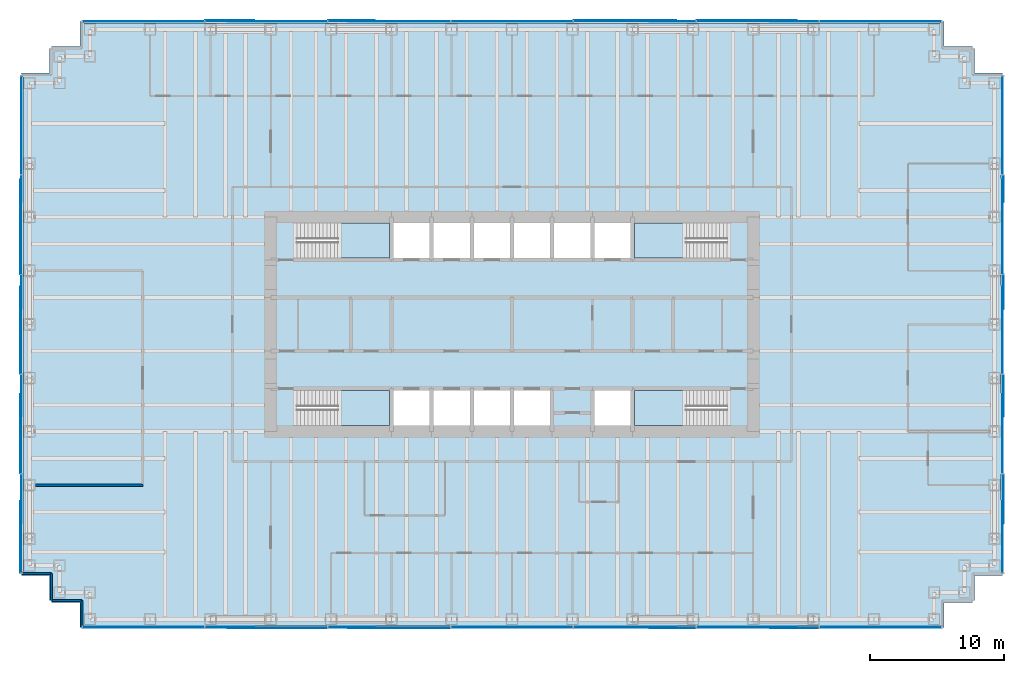
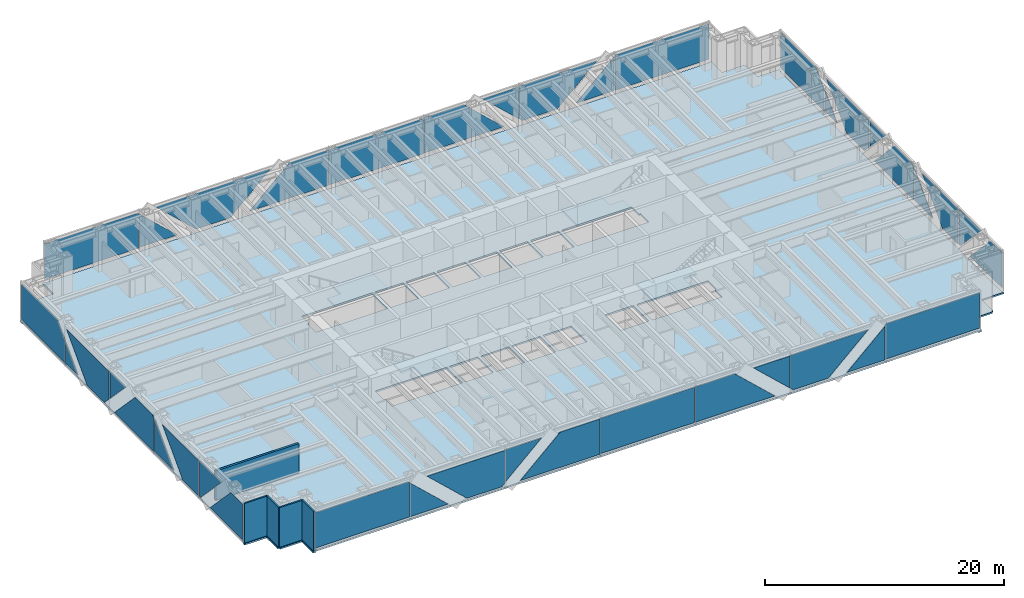
# One storey, part 10 of 16: 40 plates, 5 slabs, 5 walls, 8 elements without a shape of their own.
"""IFC4 building model written with IfcOpenShell, lengths in metres."""

from ifc_helpers import new_model, si_unit, direction, frame, frame_2d, origin, origin_2d, place, context, subcontext, project, spatial, polyline, rectangle, outline, extrude, material, layer, layer_set, type_object, element, aggregate, save


model = new_model("IFC4")

# Units and contexts
model_context = context("Model", 3, precision=1e-05, world=origin(), true_north=direction((0.0, 1.0)))
body_context = subcontext(model_context, "Body", "Model", "MODEL_VIEW")
ifc_project = project(units=[si_unit("LENGTHUNIT", "METRE"), si_unit("AREAUNIT", "SQUARE_METRE"), si_unit("VOLUMEUNIT", "CUBIC_METRE"), si_unit("PLANEANGLEUNIT", "RADIAN"), si_unit("MASSUNIT", "GRAM", prefix="KILO")], contexts=[model_context])

# Site, building, storey
site_placement = place(None, origin())
site = spatial("IfcSite", under=ifc_project, at=site_placement, CompositionType="ELEMENT")
building_placement = place(site_placement, origin())
building = spatial("IfcBuilding", under=site, at=building_placement, Name="Rheinbord Bourse Tower", CompositionType="ELEMENT")
storey_placement = place(building_placement, frame((0.0, 0.0, 171.89990234375)))
storey = spatial("IfcBuildingStorey", under=building, at=storey_placement, Name="L38", CompositionType="ELEMENT", Elevation=171.89990234375)

# Slab
ifc_material_1 = material(Name="Concrete C30/37", Category="concrete")
ifc_layer_1 = layer(ifc_material_1, 0.159912109375)
ifc_layer_set_1 = layer_set([ifc_layer_1], Name="COMPOSITE FLOOR SLAB 160")
slab_type_1 = type_object("IfcSlabType", Name="COMPOSITE FLOOR SLAB 160", PredefinedType="FLOOR", material=ifc_layer_set_1)
slab_1_placement = place(storey_placement, frame((0.0, 0.0, -0.159912109375)))
element("IfcSlab", 1, at=slab_1_placement, inside=storey, type_object=slab_type_1, Name="Floor slab L38", PredefinedType="FLOOR", context=body_context, shape_type="SweptSolid", body=[
    extrude(outline(polyline([(1.64990234375, 3.39990234375), (1.5, 3.39990234375), (1.5, 5.25), (-0.60009765625, 5.25), (-0.60009765625, 5.550048828125), (-0.5, 5.550048828125), (-0.5, 42.449951171875), (-0.60009765625, 42.449951171875), (-0.60009765625, 42.75), (1.5, 42.75), (1.5, 44.60009765625), (1.64990234375, 44.60009765625), (1.64990234375, 44.75), (3.75, 44.75), (3.75, 46.60009765625), (4.050048828125, 46.60009765625), (4.050048828125, 46.5), (67.949951171875, 46.5), (67.949951171875, 46.60009765625), (68.25, 46.60009765625), (68.25, 44.75), (70.35009765625, 44.75), (70.35009765625, 44.60009765625), (70.5, 44.60009765625), (70.5, 42.75), (72.60009765625, 42.75), (72.60009765625, 42.449951171875), (72.5, 42.449951171875), (72.5, 5.550048828125), (72.60009765625, 5.550048828125), (72.60009765625, 5.25), (70.5, 5.25), (70.5, 3.39990234375), (70.35009765625, 3.39990234375), (70.35009765625, 3.25), (68.25, 3.25), (68.25, 1.39990234375), (67.949951171875, 1.39990234375), (67.949951171875, 1.5), (4.050048828125, 1.5), (4.050048828125, 1.39990234375), (3.75, 1.39990234375), (3.75, 3.25), (1.64990234375, 3.25), (1.64990234375, 3.39990234375)]), holes=[polyline([(19.949951171875, 19.050048828125), (26.85009765625, 19.050048828125), (26.85009765625, 16.449951171875), (20.10009765625, 16.449951171875), (20.10009765625, 17.64990234375), (19.949951171875, 17.64990234375), (19.949951171875, 19.050048828125)]), polyline([(26.85009765625, 31.550048828125), (26.85009765625, 28.949951171875), (19.949951171875, 28.949951171875), (19.949951171875, 30.35009765625), (20.10009765625, 30.35009765625), (20.10009765625, 31.550048828125), (26.85009765625, 31.550048828125)]), polyline([(45.14990234375, 16.449951171875), (45.14990234375, 19.050048828125), (52.050048828125, 19.050048828125), (52.050048828125, 17.64990234375), (51.89990234375, 17.64990234375), (51.89990234375, 16.449951171875), (45.14990234375, 16.449951171875)]), polyline([(52.050048828125, 28.949951171875), (45.14990234375, 28.949951171875), (45.14990234375, 31.550048828125), (51.89990234375, 31.550048828125), (51.89990234375, 30.35009765625), (52.050048828125, 30.35009765625), (52.050048828125, 28.949951171875)]), polyline([(27.14990234375, 16.449951171875), (27.14990234375, 19.050048828125), (29.85009765625, 19.050048828125), (29.85009765625, 16.449951171875), (27.14990234375, 16.449951171875)]), polyline([(27.14990234375, 28.949951171875), (27.14990234375, 31.550048828125), (29.85009765625, 31.550048828125), (29.85009765625, 28.949951171875), (27.14990234375, 28.949951171875)]), polyline([(30.14990234375, 16.449951171875), (30.14990234375, 19.050048828125), (32.85009765625, 19.050048828125), (32.85009765625, 16.449951171875), (30.14990234375, 16.449951171875)]), polyline([(30.14990234375, 28.949951171875), (30.14990234375, 31.550048828125), (32.85009765625, 31.550048828125), (32.85009765625, 28.949951171875), (30.14990234375, 28.949951171875)]), polyline([(33.14990234375, 16.449951171875), (33.14990234375, 19.050048828125), (35.85009765625, 19.050048828125), (35.85009765625, 16.449951171875), (33.14990234375, 16.449951171875)]), polyline([(33.14990234375, 28.949951171875), (33.14990234375, 31.550048828125), (35.85009765625, 31.550048828125), (35.85009765625, 28.949951171875), (33.14990234375, 28.949951171875)]), polyline([(36.14990234375, 16.449951171875), (36.14990234375, 19.050048828125), (38.85009765625, 19.050048828125), (38.85009765625, 16.449951171875), (36.14990234375, 16.449951171875)]), polyline([(36.14990234375, 28.949951171875), (36.14990234375, 31.550048828125), (38.85009765625, 31.550048828125), (38.85009765625, 28.949951171875), (36.14990234375, 28.949951171875)]), polyline([(39.14990234375, 28.949951171875), (39.14990234375, 31.550048828125), (41.85009765625, 31.550048828125), (41.85009765625, 28.949951171875), (39.14990234375, 28.949951171875)]), polyline([(42.14990234375, 16.449951171875), (42.14990234375, 19.050048828125), (44.85009765625, 19.050048828125), (44.85009765625, 16.449951171875), (42.14990234375, 16.449951171875)]), polyline([(42.14990234375, 28.949951171875), (42.14990234375, 31.550048828125), (44.85009765625, 31.550048828125), (44.85009765625, 28.949951171875), (42.14990234375, 28.949951171875)])]), origin(), (0.0, 0.0, 1.0), 0.159912109375),
])

# Curtain wall, plates
ifc_material_2 = material(Name="Dark glass and black aluminium", Category="aluminium")
curtain_wall_type = type_object("IfcCurtainWallType", Name="CW2 DARK GLASS CURTAIN WALL", PredefinedType="USERDEFINED", material=ifc_material_2)
curtain_wall_1_placement = place(storey_placement, origin())
curtain_wall_1 = element("IfcCurtainWall", 2, at=curtain_wall_1_placement, inside=storey, type_object=curtain_wall_type, Name="Curtain wall CW2 S L38", ObjectType="UNITISED CURTAIN WALL", PredefinedType="USERDEFINED")
ifc_material_3 = material(Name="Dark tinted triple insulating glass", Category="glass")
ifc_layer_2 = layer(ifc_material_3, 0.050048828125)
ifc_layer_set_2 = layer_set([ifc_layer_2], Name="CW2 DARK GLASS PANEL")
plate_type = type_object("IfcPlateType", Name="CW2 DARK GLASS PANEL", PredefinedType="CURTAIN_PANEL", material=ifc_layer_set_2)
plate_1_placement = place(storey_placement, frame((36.0, 1.39990234375, 0.300048828125), z_axis=(0.0, 0.0, 1.0), x_axis=(1.0, 0.0, 0.0)))
plate_1 = element("IfcPlate", 3, at=plate_1_placement, type_object=plate_type, Name="CW2 panel 4.1", PredefinedType="CURTAIN_PANEL", context=body_context, shape_type="SweptSolid", body=[
    extrude(rectangle(XDim=9.101318359375, YDim=0.050048828125, at=origin_2d()), origin(), (0.0, 0.0, 1.0), 3.60009765625),
])
plate_2_placement = place(storey_placement, frame((13.035888671875, 1.375, 0.300048828125), z_axis=(0.0, 1.0, 0.0), x_axis=(-1.0, 0.0, 0.0)))
plate_2 = element("IfcPlate", 4, at=plate_2_placement, type_object=plate_type, Name="CW2 glass facet 1", PredefinedType="CURTAIN_PANEL", context=body_context, shape_type="SweptSolid", body=[
    extrude(outline(polyline([(0.0, 0.0), (9.06591796875, 0.0), (9.06591796875, 3.60009765625), (0.100830078125, 3.60009765625), (0.0, 3.505126953125), (0.0, 0.0)])), origin(), (0.0, 0.0, 1.0), 0.050048828125),
])
plate_3_placement = place(storey_placement, frame((13.10595703125, 1.375, 0.300048828125), z_axis=(0.0, 1.0, 0.0), x_axis=(0.0, 0.0, 1.0)))
plate_3 = element("IfcPlate", 5, at=plate_3_placement, type_object=plate_type, Name="CW2 glass facet 1", PredefinedType="CURTAIN_PANEL", context=body_context, shape_type="SweptSolid", body=[
    extrude(outline(polyline([(0.0, 0.0), (3.43994140625, 0.0), (0.0, 3.68603515625), (0.0, 0.0)])), origin(), (0.0, 0.0, 1.0), 0.050048828125),
])
plate_4_placement = place(storey_placement, frame((18.56494140625, 1.31982421875, 0.300048828125), z_axis=(0.0, 1.0, 0.0), x_axis=(-0.731027569533, 0.0, 0.682347926341)))
plate_4 = element("IfcPlate", 6, at=plate_4_placement, type_object=plate_type, Name="CW2 glass facet 2", PredefinedType="CURTAIN_PANEL", context=body_context, shape_type="SweptSolid", body=[
    extrude(outline(polyline([(0.0, 0.0), (5.276123046875, 0.0), (-0.20654296875, 5.11767578125), (-2.489013671875, 2.67236328125), (-2.463623046875, 2.299560546875), (0.0, 0.0)])), origin(), (0.0, 0.0, 1.0), 0.050048828125),
])
plate_5_placement = place(storey_placement, frame((22.278076171875, 1.375, 3.900146484375), z_axis=(0.0, 1.0, 0.0), x_axis=(1.0, 0.0, 0.0)))
plate_5 = element("IfcPlate", 7, at=plate_5_placement, type_object=plate_type, Name="CW2 glass facet 1", PredefinedType="CURTAIN_PANEL", context=body_context, shape_type="SweptSolid", body=[
    extrude(outline(polyline([(0.0, 0.0), (3.513916015625, 0.0), (0.0, 3.280029296875), (0.0, 0.0)])), origin(), (0.0, 0.0, 1.0), 0.050048828125),
])
plate_6_placement = place(storey_placement, frame((31.37890625, 1.31982421875, 3.900146484375), z_axis=(0.0, 1.0, 0.0), x_axis=(0.0, 0.0, -1.0)))
plate_6 = element("IfcPlate", 8, at=plate_6_placement, type_object=plate_type, Name="CW2 glass facet 2", PredefinedType="CURTAIN_PANEL", context=body_context, shape_type="SweptSolid", body=[
    extrude(outline(polyline([(0.0, 0.0), (3.60009765625, 0.0), (3.60009765625, 7.6708984375), (0.0, 3.81396484375), (0.0, 0.0)])), origin(), (0.0, 0.0, 1.0), 0.050048828125),
])
plate_7_placement = place(storey_placement, frame((40.62109375, 1.375, 0.300048828125), z_axis=(0.0, 1.0, 0.0), x_axis=(0.0, 0.0, 1.0)))
plate_7 = element("IfcPlate", 9, at=plate_7_placement, type_object=plate_type, Name="CW2 glass facet 1", PredefinedType="CURTAIN_PANEL", context=body_context, shape_type="SweptSolid", body=[
    extrude(outline(polyline([(0.0, 0.0), (3.60009765625, 0.0), (3.60009765625, 3.81396484375), (0.0, 7.6708984375), (0.0, 0.0)])), origin(), (0.0, 0.0, 1.0), 0.050048828125),
])
plate_8_placement = place(storey_placement, frame((49.721923828125, 1.31982421875, 3.900146484375), z_axis=(0.0, 1.0, 0.0), x_axis=(0.0, 0.0, -1.0)))
plate_8 = element("IfcPlate", 10, at=plate_8_placement, type_object=plate_type, Name="CW2 glass facet 2", PredefinedType="CURTAIN_PANEL", context=body_context, shape_type="SweptSolid", body=[
    extrude(outline(polyline([(0.0, 0.0), (3.280029296875, 0.0), (0.0, 3.513916015625), (0.0, 0.0)])), origin(), (0.0, 0.0, 1.0), 0.050048828125),
])
plate_9_placement = place(storey_placement, frame((50.06494140625, 1.375, 0.300048828125), z_axis=(0.0, 1.0, 0.0), x_axis=(-0.730555285006, 0.0, 0.682853553516)))
plate_9 = element("IfcPlate", 11, at=plate_9_placement, type_object=plate_type, Name="CW2 glass facet 1", PredefinedType="CURTAIN_PANEL", context=body_context, shape_type="SweptSolid", body=[
    extrude(outline(polyline([(0.0, 0.0), (0.37353515625, 0.0), (2.65771484375, 2.443603515625), (-2.821533203125, 7.565185546875), (-2.462158203125, 2.30126953125), (0.0, 0.0)])), origin(), (0.0, 0.0, 1.0), 0.050048828125),
])
plate_10_placement = place(storey_placement, frame((58.89404296875, 1.31982421875, 0.300048828125), z_axis=(0.0, 1.0, 0.0), x_axis=(-1.0, 0.0, 0.0)))
plate_10 = element("IfcPlate", 12, at=plate_10_placement, type_object=plate_type, Name="CW2 glass facet 2", PredefinedType="CURTAIN_PANEL", context=body_context, shape_type="SweptSolid", body=[
    extrude(outline(polyline([(0.0, 0.0), (3.68603515625, 0.0), (0.0, 3.43994140625), (0.0, 0.0)])), origin(), (0.0, 0.0, 1.0), 0.050048828125),
])
plate_11_placement = place(storey_placement, frame((68.030029296875, 1.375, 3.900146484375), z_axis=(0.0, 1.0, 0.0), x_axis=(0.0, 0.0, -1.0)))
plate_11 = element("IfcPlate", 13, at=plate_11_placement, type_object=plate_type, Name="CW2 glass facet 1", PredefinedType="CURTAIN_PANEL", context=body_context, shape_type="SweptSolid", body=[
    extrude(outline(polyline([(0.0, 0.0), (3.60009765625, 0.0), (3.60009765625, 9.06591796875), (0.094970703125, 9.06591796875), (0.0, 8.965087890625), (0.0, 0.0)])), origin(), (0.0, 0.0, 1.0), 0.050048828125),
])
aggregate(curtain_wall_1, [plate_1, plate_2, plate_3, plate_4, plate_5, plate_6, plate_7, plate_8, plate_9, plate_10, plate_11])

curtain_wall_2_placement = place(storey_placement, origin())
curtain_wall_2 = element("IfcCurtainWall", 14, at=curtain_wall_2_placement, inside=storey, type_object=curtain_wall_type, Name="Curtain wall CW2 E L38", ObjectType="UNITISED CURTAIN WALL", PredefinedType="USERDEFINED")
plate_12_placement = place(storey_placement, frame((72.625, 5.469970703125, 0.300048828125), z_axis=(-1.0, 0.0, 0.0), x_axis=(0.0, 0.0, 1.0)))
plate_12 = element("IfcPlate", 15, at=plate_12_placement, type_object=plate_type, Name="CW2 glass facet 1", PredefinedType="CURTAIN_PANEL", context=body_context, shape_type="SweptSolid", body=[
    extrude(outline(polyline([(0.0, 0.0), (3.60009765625, 0.0), (3.60009765625, 1.97998046875), (0.0, 5.408935546875), (0.0, 0.0)])), origin(), (0.0, 0.0, 1.0), 0.050048828125),
])
plate_13_placement = place(storey_placement, frame((72.68017578125, 12.804931640625, 3.900146484375), z_axis=(-1.0, 0.0, 0.0), x_axis=(0.0, 0.0, -1.0)))
plate_13 = element("IfcPlate", 16, at=plate_13_placement, type_object=plate_type, Name="CW2 glass facet 2", PredefinedType="CURTAIN_PANEL", context=body_context, shape_type="SweptSolid", body=[
    extrude(outline(polyline([(0.0, 0.0), (3.60009765625, 0.0), (3.60009765625, 0.2548828125), (0.0, 3.683837890625), (0.0, 0.0)])), origin(), (0.0, 0.0, 1.0), 0.050048828125),
])
plate_14_placement = place(storey_placement, frame((72.625, 12.875, 0.300048828125), z_axis=(-1.0, 0.0, 0.0), x_axis=(0.0, 0.0, 1.0)))
plate_14 = element("IfcPlate", 17, at=plate_14_placement, type_object=plate_type, Name="CW2 glass facet 1", PredefinedType="CURTAIN_PANEL", context=body_context, shape_type="SweptSolid", body=[
    extrude(outline(polyline([(0.0, 0.0), (3.60009765625, 0.0), (3.60009765625, 6.00390625), (0.0, 2.574951171875), (0.0, 0.0)])), origin(), (0.0, 0.0, 1.0), 0.050048828125),
])
plate_15_placement = place(storey_placement, frame((72.68017578125, 20.2451171875, 0.300048828125), z_axis=(-1.0, 0.0, 0.0), x_axis=(0.0, -1.0, 0.0)))
plate_15 = element("IfcPlate", 18, at=plate_15_placement, type_object=plate_type, Name="CW2 glass facet 2", PredefinedType="CURTAIN_PANEL", context=body_context, shape_type="SweptSolid", body=[
    extrude(outline(polyline([(0.0, 0.0), (3.1240234375, 0.0), (0.0, 3.280029296875), (0.0, 0.0)])), origin(), (0.0, 0.0, 1.0), 0.050048828125),
])
plate_16_placement = place(storey_placement, frame((72.625, 20.31494140625, 0.300048828125), z_axis=(-1.0, 0.0, 0.0), x_axis=(0.0, 0.0, 1.0)))
plate_16 = element("IfcPlate", 19, at=plate_16_placement, type_object=plate_type, Name="CW2 glass facet 1", PredefinedType="CURTAIN_PANEL", context=body_context, shape_type="SweptSolid", body=[
    extrude(outline(polyline([(0.0, 0.0), (3.35302734375, 0.0), (3.60009765625, 0.235107421875), (3.60009765625, 3.135009765625), (0.0, 6.56396484375), (0.0, 0.0)])), origin(), (0.0, 0.0, 1.0), 0.050048828125),
])
plate_17_placement = place(storey_placement, frame((72.68017578125, 27.68505859375, 3.900146484375), z_axis=(-1.0, 0.0, 0.0), x_axis=(0.0, 0.0, -1.0)))
plate_17 = element("IfcPlate", 20, at=plate_17_placement, type_object=plate_type, Name="CW2 glass facet 2", PredefinedType="CURTAIN_PANEL", context=body_context, shape_type="SweptSolid", body=[
    extrude(outline(polyline([(0.0, 0.0), (2.692138671875, 0.0), (0.0, 2.56396484375), (0.0, 0.0)])), origin(), (0.0, 0.0, 1.0), 0.050048828125),
])
plate_18_placement = place(storey_placement, frame((72.625, 28.550048828125, 0.300048828125), z_axis=(-1.0, 0.0, 0.0), x_axis=(0.0, -0.689639310582, 0.724153037209)))
plate_18 = element("IfcPlate", 21, at=plate_18_placement, type_object=plate_type, Name="CW2 glass facet 1", PredefinedType="CURTAIN_PANEL", context=body_context, shape_type="SweptSolid", body=[
    extrude(outline(polyline([(0.0, 0.0), (1.153076171875, 0.0), (3.155517578125, 1.906982421875), (-1.757568359375, 7.06591796875), (-2.0, 2.099853515625), (0.0, 0.0)])), origin(), (0.0, 0.0, 1.0), 0.050048828125),
])
plate_19_placement = place(storey_placement, frame((72.68017578125, 35.125, 0.300048828125), z_axis=(-1.0, 0.0, 0.0), x_axis=(0.0, -1.0, 0.0)))
plate_19 = element("IfcPlate", 22, at=plate_19_placement, type_object=plate_type, Name="CW2 glass facet 2", PredefinedType="CURTAIN_PANEL", context=body_context, shape_type="SweptSolid", body=[
    extrude(outline(polyline([(0.0, 0.0), (2.00390625, 0.0), (0.0, 2.10400390625), (0.0, 0.0)])), origin(), (0.0, 0.0, 1.0), 0.050048828125),
])
plate_20_placement = place(storey_placement, frame((72.625, 42.530029296875, 3.900146484375), z_axis=(-1.0, 0.0, 0.0), x_axis=(0.0, 0.0, -1.0)))
plate_20 = element("IfcPlate", 23, at=plate_20_placement, type_object=plate_type, Name="CW2 glass facet 1", PredefinedType="CURTAIN_PANEL", context=body_context, shape_type="SweptSolid", body=[
    extrude(outline(polyline([(0.0, 0.0), (3.60009765625, 0.0), (3.60009765625, 7.3349609375), (1.423095703125, 7.3349609375), (0.0, 5.97998046875), (0.0, 0.0)])), origin(), (0.0, 0.0, 1.0), 0.050048828125),
])
aggregate(curtain_wall_2, [plate_12, plate_13, plate_14, plate_15, plate_16, plate_17, plate_18, plate_19, plate_20])

curtain_wall_3_placement = place(storey_placement, origin())
curtain_wall_3 = element("IfcCurtainWall", 24, at=curtain_wall_3_placement, inside=storey, type_object=curtain_wall_type, Name="Curtain wall CW2 N L38", ObjectType="UNITISED CURTAIN WALL", PredefinedType="USERDEFINED")
plate_21_placement = place(storey_placement, frame((36.0, 46.60009765625, 0.300048828125), z_axis=(0.0, 0.0, 1.0), x_axis=(-1.0, 0.0, 0.0)))
plate_21 = element("IfcPlate", 25, at=plate_21_placement, type_object=plate_type, Name="CW2 panel 4.1", PredefinedType="CURTAIN_PANEL", context=body_context, shape_type="SweptSolid", body=[
    extrude(rectangle(XDim=9.101318359375, YDim=0.050048828125, at=origin_2d()), origin(), (0.0, 0.0, 1.0), 3.60009765625),
])
plate_22_placement = place(storey_placement, frame((58.964111328125, 46.625, 0.300048828125), z_axis=(0.0, -1.0, 0.0), x_axis=(1.0, 0.0, 0.0)))
plate_22 = element("IfcPlate", 26, at=plate_22_placement, type_object=plate_type, Name="CW2 glass facet 1", PredefinedType="CURTAIN_PANEL", context=body_context, shape_type="SweptSolid", body=[
    extrude(outline(polyline([(0.0, 0.0), (9.06591796875, 0.0), (9.06591796875, 3.60009765625), (0.100830078125, 3.60009765625), (0.0, 3.505126953125), (0.0, 0.0)])), origin(), (0.0, 0.0, 1.0), 0.050048828125),
])
plate_23_placement = place(storey_placement, frame((58.89404296875, 46.625, 0.300048828125), z_axis=(0.0, -1.0, 0.0), x_axis=(0.0, 0.0, 1.0)))
plate_23 = element("IfcPlate", 27, at=plate_23_placement, type_object=plate_type, Name="CW2 glass facet 1", PredefinedType="CURTAIN_PANEL", context=body_context, shape_type="SweptSolid", body=[
    extrude(outline(polyline([(0.0, 0.0), (3.43994140625, 0.0), (0.0, 3.68603515625), (0.0, 0.0)])), origin(), (0.0, 0.0, 1.0), 0.050048828125),
])
plate_24_placement = place(storey_placement, frame((53.43505859375, 46.68017578125, 0.300048828125), z_axis=(0.0, -1.0, 0.0), x_axis=(0.731027569533, 0.0, 0.682347926341)))
plate_24 = element("IfcPlate", 28, at=plate_24_placement, type_object=plate_type, Name="CW2 glass facet 2", PredefinedType="CURTAIN_PANEL", context=body_context, shape_type="SweptSolid", body=[
    extrude(outline(polyline([(0.0, 0.0), (5.276123046875, 0.0), (-0.20654296875, 5.11767578125), (-2.489013671875, 2.67236328125), (-2.463623046875, 2.299560546875), (0.0, 0.0)])), origin(), (0.0, 0.0, 1.0), 0.050048828125),
])
plate_25_placement = place(storey_placement, frame((49.721923828125, 46.625, 3.900146484375), z_axis=(0.0, -1.0, 0.0), x_axis=(-1.0, 0.0, 0.0)))
plate_25 = element("IfcPlate", 29, at=plate_25_placement, type_object=plate_type, Name="CW2 glass facet 1", PredefinedType="CURTAIN_PANEL", context=body_context, shape_type="SweptSolid", body=[
    extrude(outline(polyline([(0.0, 0.0), (3.513916015625, 0.0), (0.0, 3.280029296875), (0.0, 0.0)])), origin(), (0.0, 0.0, 1.0), 0.050048828125),
])
plate_26_placement = place(storey_placement, frame((40.62109375, 46.68017578125, 3.900146484375), z_axis=(0.0, -1.0, 0.0), x_axis=(0.0, 0.0, -1.0)))
plate_26 = element("IfcPlate", 30, at=plate_26_placement, type_object=plate_type, Name="CW2 glass facet 2", PredefinedType="CURTAIN_PANEL", context=body_context, shape_type="SweptSolid", body=[
    extrude(outline(polyline([(0.0, 0.0), (3.60009765625, 0.0), (3.60009765625, 7.6708984375), (0.0, 3.81396484375), (0.0, 0.0)])), origin(), (0.0, 0.0, 1.0), 0.050048828125),
])
plate_27_placement = place(storey_placement, frame((31.37890625, 46.625, 0.300048828125), z_axis=(0.0, -1.0, 0.0), x_axis=(0.0, 0.0, 1.0)))
plate_27 = element("IfcPlate", 31, at=plate_27_placement, type_object=plate_type, Name="CW2 glass facet 1", PredefinedType="CURTAIN_PANEL", context=body_context, shape_type="SweptSolid", body=[
    extrude(outline(polyline([(0.0, 0.0), (3.60009765625, 0.0), (3.60009765625, 3.81396484375), (0.0, 7.6708984375), (0.0, 0.0)])), origin(), (0.0, 0.0, 1.0), 0.050048828125),
])
plate_28_placement = place(storey_placement, frame((22.278076171875, 46.68017578125, 3.900146484375), z_axis=(0.0, -1.0, 0.0), x_axis=(0.0, 0.0, -1.0)))
plate_28 = element("IfcPlate", 32, at=plate_28_placement, type_object=plate_type, Name="CW2 glass facet 2", PredefinedType="CURTAIN_PANEL", context=body_context, shape_type="SweptSolid", body=[
    extrude(outline(polyline([(0.0, 0.0), (3.280029296875, 0.0), (0.0, 3.513916015625), (0.0, 0.0)])), origin(), (0.0, 0.0, 1.0), 0.050048828125),
])
plate_29_placement = place(storey_placement, frame((21.93505859375, 46.625, 0.300048828125), z_axis=(0.0, -1.0, 0.0), x_axis=(0.730555285006, 0.0, 0.682853553516)))
plate_29 = element("IfcPlate", 33, at=plate_29_placement, type_object=plate_type, Name="CW2 glass facet 1", PredefinedType="CURTAIN_PANEL", context=body_context, shape_type="SweptSolid", body=[
    extrude(outline(polyline([(0.0, 0.0), (0.37353515625, 0.0), (2.65771484375, 2.443603515625), (-2.821533203125, 7.565185546875), (-2.462158203125, 2.30126953125), (0.0, 0.0)])), origin(), (0.0, 0.0, 1.0), 0.050048828125),
])
plate_30_placement = place(storey_placement, frame((13.10595703125, 46.68017578125, 0.300048828125), z_axis=(0.0, -1.0, 0.0), x_axis=(1.0, 0.0, 0.0)))
plate_30 = element("IfcPlate", 34, at=plate_30_placement, type_object=plate_type, Name="CW2 glass facet 2", PredefinedType="CURTAIN_PANEL", context=body_context, shape_type="SweptSolid", body=[
    extrude(outline(polyline([(0.0, 0.0), (3.68603515625, 0.0), (0.0, 3.43994140625), (0.0, 0.0)])), origin(), (0.0, 0.0, 1.0), 0.050048828125),
])
plate_31_placement = place(storey_placement, frame((3.969970703125, 46.625, 3.900146484375), z_axis=(0.0, -1.0, 0.0), x_axis=(0.0, 0.0, -1.0)))
plate_31 = element("IfcPlate", 35, at=plate_31_placement, type_object=plate_type, Name="CW2 glass facet 1", PredefinedType="CURTAIN_PANEL", context=body_context, shape_type="SweptSolid", body=[
    extrude(outline(polyline([(0.0, 0.0), (3.60009765625, 0.0), (3.60009765625, 9.06591796875), (0.094970703125, 9.06591796875), (0.0, 8.965087890625), (0.0, 0.0)])), origin(), (0.0, 0.0, 1.0), 0.050048828125),
])
aggregate(curtain_wall_3, [plate_21, plate_22, plate_23, plate_24, plate_25, plate_26, plate_27, plate_28, plate_29, plate_30, plate_31])

curtain_wall_4_placement = place(storey_placement, origin())
curtain_wall_4 = element("IfcCurtainWall", 36, at=curtain_wall_4_placement, inside=storey, type_object=curtain_wall_type, Name="Curtain wall CW2 W L38", ObjectType="UNITISED CURTAIN WALL", PredefinedType="USERDEFINED")
plate_32_placement = place(storey_placement, frame((-0.625, 35.195068359375, 0.300048828125), z_axis=(1.0, 0.0, 0.0), x_axis=(0.0, 1.0, 0.0)))
plate_32 = element("IfcPlate", 37, at=plate_32_placement, type_object=plate_type, Name="CW2 glass facet 1", PredefinedType="CURTAIN_PANEL", context=body_context, shape_type="SweptSolid", body=[
    extrude(outline(polyline([(0.0, 0.0), (7.3349609375, 0.0), (7.3349609375, 3.60009765625), (1.35498046875, 3.60009765625), (0.0, 2.177001953125), (0.0, 0.0)])), origin(), (0.0, 0.0, 1.0), 0.050048828125),
])
plate_33_placement = place(storey_placement, frame((-0.625, 35.125, 0.300048828125), z_axis=(1.0, 0.0, 0.0), x_axis=(0.0, 0.0, 1.0)))
plate_33 = element("IfcPlate", 38, at=plate_33_placement, type_object=plate_type, Name="CW2 glass facet 1", PredefinedType="CURTAIN_PANEL", context=body_context, shape_type="SweptSolid", body=[
    extrude(outline(polyline([(0.0, 0.0), (2.10400390625, 0.0), (0.0, 2.00390625), (0.0, 0.0)])), origin(), (0.0, 0.0, 1.0), 0.050048828125),
])
plate_34_placement = place(storey_placement, frame((-0.68017578125, 31.449951171875, 0.300048828125), z_axis=(1.0, 0.0, 0.0), x_axis=(0.0, 0.689685826199, 0.724108735716)))
plate_34 = element("IfcPlate", 39, at=plate_34_placement, type_object=plate_type, Name="CW2 glass facet 2", PredefinedType="CURTAIN_PANEL", context=body_context, shape_type="SweptSolid", body=[
    extrude(outline(polyline([(0.0, 0.0), (4.9716796875, 0.0), (0.058349609375, 5.158447265625), (-1.94384765625, 3.25146484375), (-2.0, 2.099853515625), (0.0, 0.0)])), origin(), (0.0, 0.0, 1.0), 0.050048828125),
])
plate_35_placement = place(storey_placement, frame((-0.625, 27.68505859375, 3.900146484375), z_axis=(1.0, 0.0, 0.0), x_axis=(0.0, -1.0, 0.0)))
plate_35 = element("IfcPlate", 40, at=plate_35_placement, type_object=plate_type, Name="CW2 glass facet 1", PredefinedType="CURTAIN_PANEL", context=body_context, shape_type="SweptSolid", body=[
    extrude(outline(polyline([(0.0, 0.0), (2.56396484375, 0.0), (0.0, 2.692138671875), (0.0, 0.0)])), origin(), (0.0, 0.0, 1.0), 0.050048828125),
])
plate_36_placement = place(storey_placement, frame((-0.68017578125, 20.31494140625, 0.300048828125), z_axis=(1.0, 0.0, 0.0), x_axis=(0.0, 1.0, 0.0)))
plate_36 = element("IfcPlate", 41, at=plate_36_placement, type_object=plate_type, Name="CW2 glass facet 2", PredefinedType="CURTAIN_PANEL", context=body_context, shape_type="SweptSolid", body=[
    extrude(outline(polyline([(0.0, 0.0), (6.56396484375, 0.0), (3.135009765625, 3.60009765625), (0.235107421875, 3.60009765625), (0.0, 3.35302734375), (0.0, 0.0)])), origin(), (0.0, 0.0, 1.0), 0.050048828125),
])
plate_37_placement = place(storey_placement, frame((-0.625, 20.2451171875, 0.300048828125), z_axis=(1.0, 0.0, 0.0), x_axis=(0.0, 0.0, 1.0)))
plate_37 = element("IfcPlate", 42, at=plate_37_placement, type_object=plate_type, Name="CW2 glass facet 1", PredefinedType="CURTAIN_PANEL", context=body_context, shape_type="SweptSolid", body=[
    extrude(outline(polyline([(0.0, 0.0), (3.280029296875, 0.0), (0.0, 3.1240234375), (0.0, 0.0)])), origin(), (0.0, 0.0, 1.0), 0.050048828125),
])
plate_38_placement = place(storey_placement, frame((-0.68017578125, 12.875, 3.900146484375), z_axis=(1.0, 0.0, 0.0), x_axis=(0.0, 0.0, -1.0)))
plate_38 = element("IfcPlate", 43, at=plate_38_placement, type_object=plate_type, Name="CW2 glass facet 2", PredefinedType="CURTAIN_PANEL", context=body_context, shape_type="SweptSolid", body=[
    extrude(outline(polyline([(0.0, 0.0), (3.60009765625, 0.0), (3.60009765625, 2.574951171875), (0.0, 6.00390625), (0.0, 0.0)])), origin(), (0.0, 0.0, 1.0), 0.050048828125),
])
plate_39_placement = place(storey_placement, frame((-0.625, 12.804931640625, 0.300048828125), z_axis=(1.0, 0.0, 0.0), x_axis=(0.0, 0.0, 1.0)))
plate_39 = element("IfcPlate", 44, at=plate_39_placement, type_object=plate_type, Name="CW2 glass facet 1", PredefinedType="CURTAIN_PANEL", context=body_context, shape_type="SweptSolid", body=[
    extrude(outline(polyline([(0.0, 0.0), (3.60009765625, 0.0), (3.60009765625, 3.683837890625), (0.0, 0.2548828125), (0.0, 0.0)])), origin(), (0.0, 0.0, 1.0), 0.050048828125),
])
plate_40_placement = place(storey_placement, frame((-0.68017578125, 5.469970703125, 3.900146484375), z_axis=(1.0, 0.0, 0.0), x_axis=(0.0, 0.0, -1.0)))
plate_40 = element("IfcPlate", 45, at=plate_40_placement, type_object=plate_type, Name="CW2 glass facet 2", PredefinedType="CURTAIN_PANEL", context=body_context, shape_type="SweptSolid", body=[
    extrude(outline(polyline([(0.0, 0.0), (3.60009765625, 0.0), (3.60009765625, 5.408935546875), (0.0, 1.97998046875), (0.0, 0.0)])), origin(), (0.0, 0.0, 1.0), 0.050048828125),
])
aggregate(curtain_wall_4, [plate_32, plate_33, plate_34, plate_35, plate_36, plate_37, plate_38, plate_39, plate_40])

# Stair, slab
ifc_material_4 = material(Name="Concrete C30/37", Category="concrete")
stair_type = type_object("IfcStairType", Name="CORE STAIR HALF TURN 4200", PredefinedType="HALF_TURN_STAIR", material=ifc_material_4)
stair_1_placement = place(storey_placement, origin())
stair_1 = element("IfcStair", 46, at=stair_1_placement, inside=storey, type_object=stair_type, Name="Stair ST1 L38, type CS6", PredefinedType="HALF_TURN_STAIR")
ifc_material_5 = material(Name="Concrete C30/37", Category="concrete")
ifc_layer_3 = layer(ifc_material_5, 0.199951171875)
ifc_layer_set_3 = layer_set([ifc_layer_3], Name="STAIR LANDING 200")
slab_type_2 = type_object("IfcSlabType", Name="STAIR LANDING 200", PredefinedType="LANDING", material=ifc_layer_set_3)
slab_2_placement = place(storey_placement, frame((0.0, 0.0, 1.900146484375)))
slab_2 = element("IfcSlab", 47, at=slab_2_placement, type_object=slab_type_2, Name="Half landing ST1 L38", PredefinedType="LANDING", context=body_context, shape_type="SweptSolid", body=[
    extrude(outline(polyline([(23.030029296875, 16.449951171875), (26.85009765625, 16.449951171875), (26.85009765625, 19.050048828125), (21.748046875, 19.050048828125), (21.748046875, 17.85009765625), (23.030029296875, 17.85009765625), (23.030029296875, 16.449951171875)])), origin(), (0.0, 0.0, 1.0), 0.199951171875),
])
aggregate(stair_1, [slab_2])

stair_2_placement = place(storey_placement, origin())
stair_2 = element("IfcStair", 48, at=stair_2_placement, inside=storey, type_object=stair_type, Name="Stair ST2 L38, type CS6", PredefinedType="HALF_TURN_STAIR")
slab_3_placement = place(storey_placement, frame((0.0, 0.0, 1.900146484375)))
slab_3 = element("IfcSlab", 49, at=slab_3_placement, type_object=slab_type_2, Name="Half landing ST2 L38", PredefinedType="LANDING", context=body_context, shape_type="SweptSolid", body=[
    extrude(outline(polyline([(21.748046875, 28.949951171875), (26.85009765625, 28.949951171875), (26.85009765625, 31.550048828125), (23.030029296875, 31.550048828125), (23.030029296875, 30.14990234375), (21.748046875, 30.14990234375), (21.748046875, 28.949951171875)])), origin(), (0.0, 0.0, 1.0), 0.199951171875),
])
aggregate(stair_2, [slab_3])

stair_3_placement = place(storey_placement, origin())
stair_3 = element("IfcStair", 50, at=stair_3_placement, inside=storey, type_object=stair_type, Name="Stair ST3 L38, type CS6", PredefinedType="HALF_TURN_STAIR")
slab_4_placement = place(storey_placement, frame((0.0, 0.0, 1.900146484375)))
slab_4 = element("IfcSlab", 51, at=slab_4_placement, type_object=slab_type_2, Name="Half landing ST3 L38", PredefinedType="LANDING", context=body_context, shape_type="SweptSolid", body=[
    extrude(outline(polyline([(45.14990234375, 16.449951171875), (48.969970703125, 16.449951171875), (48.969970703125, 17.85009765625), (50.251953125, 17.85009765625), (50.251953125, 19.050048828125), (45.14990234375, 19.050048828125), (45.14990234375, 16.449951171875)])), origin(), (0.0, 0.0, 1.0), 0.199951171875),
])
aggregate(stair_3, [slab_4])

stair_4_placement = place(storey_placement, origin())
stair_4 = element("IfcStair", 52, at=stair_4_placement, inside=storey, type_object=stair_type, Name="Stair ST4 L38, type CS6", PredefinedType="HALF_TURN_STAIR")
slab_5_placement = place(storey_placement, frame((0.0, 0.0, 1.900146484375)))
slab_5 = element("IfcSlab", 53, at=slab_5_placement, type_object=slab_type_2, Name="Half landing ST4 L38", PredefinedType="LANDING", context=body_context, shape_type="SweptSolid", body=[
    extrude(outline(polyline([(45.14990234375, 28.949951171875), (50.251953125, 28.949951171875), (50.251953125, 30.14990234375), (48.969970703125, 30.14990234375), (48.969970703125, 31.550048828125), (45.14990234375, 31.550048828125), (45.14990234375, 28.949951171875)])), origin(), (0.0, 0.0, 1.0), 0.199951171875),
])
aggregate(stair_4, [slab_5])

# Walls
ifc_material_6 = material(Name="Acoustic gypsum board partition", Category="gypsum board")
ifc_layer_4 = layer(ifc_material_6, 0.199951171875)
ifc_layer_set_4 = layer_set([ifc_layer_4], Name="ACOUSTIC PARTITION 200")
wall_type_1 = type_object("IfcWallType", Name="ACOUSTIC PARTITION 200", PredefinedType="PARTITIONING", material=ifc_layer_set_4)
wall_1_placement = place(storey_placement, frame((0.449951171875, 12.0, 0.0), z_axis=(0.0, 0.0, 1.0), x_axis=(1.0, 0.0, 0.0)))
element("IfcWall", 54, at=wall_1_placement, inside=storey, type_object=wall_type_1, Name="Partition L38-04", PredefinedType="PARTITIONING", context=body_context, shape_type="SweptSolid", body=[
    extrude(rectangle(XDim=8.0, YDim=0.199951171875, at=frame_2d((4.0, 0.0))), origin(), (0.0, 0.0, 1.0), 3.0),
])
ifc_material_7 = material(Name="Black metal rainscreen panel", Category="aluminium")
ifc_layer_5 = layer(ifc_material_7, 0.14990234375)
ifc_layer_set_5 = layer_set([ifc_layer_5], Name="CORNER PIER CLADDING 150")
wall_type_2 = type_object("IfcWallType", Name="CORNER PIER CLADDING 150", PredefinedType="ELEMENTEDWALL", material=ifc_layer_set_5)
wall_2_placement = place(storey_placement, frame((-0.60009765625, 5.39990234375, 0.0), z_axis=(0.0, 0.0, 1.0), x_axis=(1.0, 0.0, 0.0)))
element("IfcWall", 55, at=wall_2_placement, inside=storey, type_object=wall_type_2, Name="Corner pier cladding L38 17", PredefinedType="ELEMENTEDWALL", context=body_context, shape_type="SweptSolid", body=[
    extrude(rectangle(XDim=2.25, YDim=0.14990234375, at=frame_2d((1.125, 0.0))), origin(), (0.0, 0.0, 1.0), 4.0400390625),
])
wall_3_placement = place(storey_placement, frame((1.64990234375, 5.39990234375, 0.0), z_axis=(0.0, 0.0, 1.0), x_axis=(0.0, -1.0, 0.0)))
element("IfcWall", 56, at=wall_3_placement, inside=storey, type_object=wall_type_2, Name="Corner pier cladding L38 18", PredefinedType="ELEMENTEDWALL", context=body_context, shape_type="SweptSolid", body=[
    extrude(rectangle(XDim=2.0, YDim=0.14990234375, at=frame_2d((1.0, 0.0))), origin(), (0.0, 0.0, 1.0), 4.0400390625),
])
wall_4_placement = place(storey_placement, frame((1.64990234375, 3.39990234375, 0.0), z_axis=(0.0, 0.0, 1.0), x_axis=(1.0, 0.0, 0.0)))
element("IfcWall", 57, at=wall_4_placement, inside=storey, type_object=wall_type_2, Name="Corner pier cladding L38 19", PredefinedType="ELEMENTEDWALL", context=body_context, shape_type="SweptSolid", body=[
    extrude(rectangle(XDim=2.25, YDim=0.14990234375, at=frame_2d((1.125, 0.0))), origin(), (0.0, 0.0, 1.0), 4.0400390625),
])
wall_5_placement = place(storey_placement, frame((3.89990234375, 3.39990234375, 0.0), z_axis=(0.0, 0.0, 1.0), x_axis=(0.0, -1.0, 0.0)))
element("IfcWall", 58, at=wall_5_placement, inside=storey, type_object=wall_type_2, Name="Corner pier cladding L38 20", PredefinedType="ELEMENTEDWALL", context=body_context, shape_type="SweptSolid", body=[
    extrude(rectangle(XDim=2.0, YDim=0.14990234375, at=frame_2d((1.0, 0.0))), origin(), (0.0, 0.0, 1.0), 4.0400390625),
])

save(model, "model.ifc")
